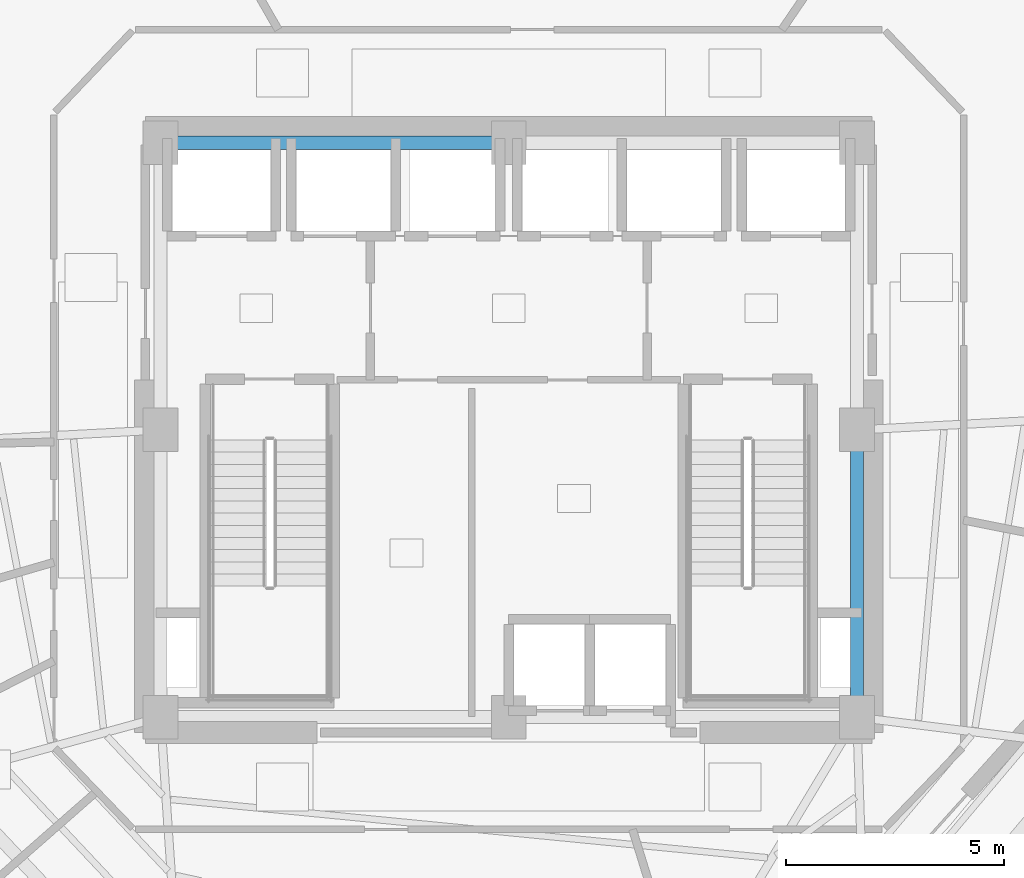
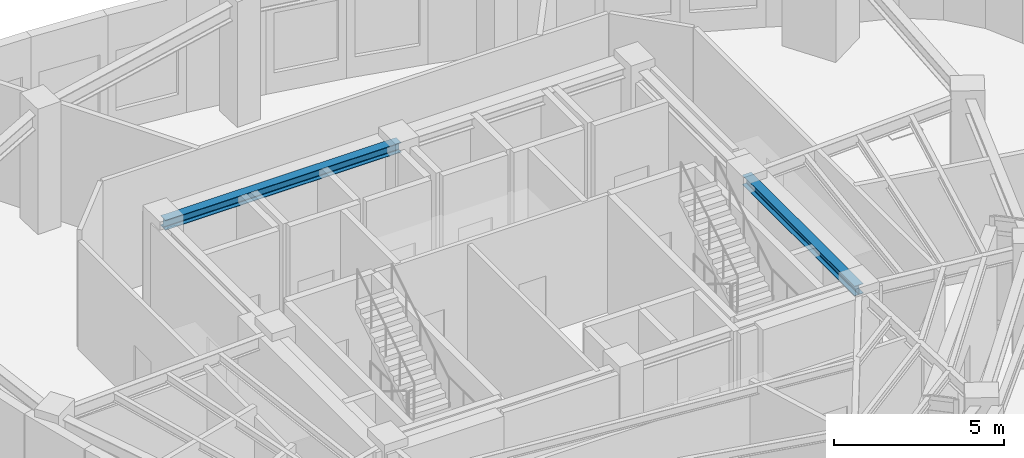
# One storey, part 7 of 18: 2 beams.
"""IFC4 building model written with IfcOpenShell, lengths in metres."""

from ifc_helpers import new_model, si_unit, direction, frame, origin, origin_2d, place, context, subcontext, project, spatial, i_section, extrude, material, material_profile, profile_set, type_object, element, save


model = new_model("IFC4")

# Units and contexts
model_context = context("Model", 3, precision=1e-05, world=origin(), true_north=direction((0.0, 1.0)))
body_context = subcontext(model_context, "Body", "Model", "MODEL_VIEW")
ifc_project = project(units=[si_unit("LENGTHUNIT", "METRE"), si_unit("AREAUNIT", "SQUARE_METRE"), si_unit("VOLUMEUNIT", "CUBIC_METRE"), si_unit("PLANEANGLEUNIT", "RADIAN"), si_unit("MASSUNIT", "GRAM", prefix="KILO")], contexts=[model_context])

# Site, building, storey
site_placement = place(None, origin())
site = spatial("IfcSite", under=ifc_project, at=site_placement, CompositionType="ELEMENT")
building_placement = place(site_placement, origin())
building = spatial("IfcBuilding", under=site, at=building_placement, Name="Ndelora Gate Hotel", CompositionType="ELEMENT")
storey_placement = place(building_placement, frame((0.0, 0.0, 173.75)))
storey = spatial("IfcBuildingStorey", under=building, at=storey_placement, Name="L43", CompositionType="ELEMENT", Elevation=173.75)

# Beams
ifc_material = material(Name="Steel S355", Category="steel")
ifc_material_profile = material_profile(ifc_material, i_section(OverallWidth=0.300048828125, OverallDepth=0.35009765625, WebThickness=0.010009765625, FlangeThickness=0.017578125, FilletRadius=0.027099609375, at=origin_2d()), Name="HEA 360")
ifc_profile_set = profile_set([ifc_material_profile], Name="Steel S355")
beam_type = type_object("IfcBeamType", Name="BM-CORE-350", PredefinedType="BEAM", material=ifc_profile_set)
beam_1_placement = place(storey_placement, frame((-8.0, 6.60009765625, 4.034912109375), z_axis=(1.0, 0.0, 0.0), x_axis=(0.0, 1.0, 0.0)))
element("IfcBeam", 1, at=beam_1_placement, inside=storey, type_object=beam_type, Name="L43 Core Tie Girder CC7-CC6", PredefinedType="BEAM", context=body_context, shape_type="SweptSolid", body=[
    extrude(i_section(OverallWidth=0.300048828125, OverallDepth=0.35009765625, WebThickness=0.010009765625, FlangeThickness=0.017578125, FilletRadius=0.027099609375, at=origin_2d()), origin(), (0.0, 0.0, 1.0), 8.0),
])
beam_2_placement = place(storey_placement, frame((8.0, -6.60009765625, 4.034912109375), z_axis=(0.0, 1.0, 0.0), x_axis=(-1.0, 0.0, 0.0)))
element("IfcBeam", 2, at=beam_2_placement, inside=storey, type_object=beam_type, Name="L43 Core Tie Girder CC3-CC4", PredefinedType="BEAM", context=body_context, shape_type="SweptSolid", body=[
    extrude(i_section(OverallWidth=0.300048828125, OverallDepth=0.35009765625, WebThickness=0.010009765625, FlangeThickness=0.017578125, FilletRadius=0.027099609375, at=origin_2d()), origin(), (0.0, 0.0, 1.0), 6.60009765625),
])

save(model, "model.ifc")
